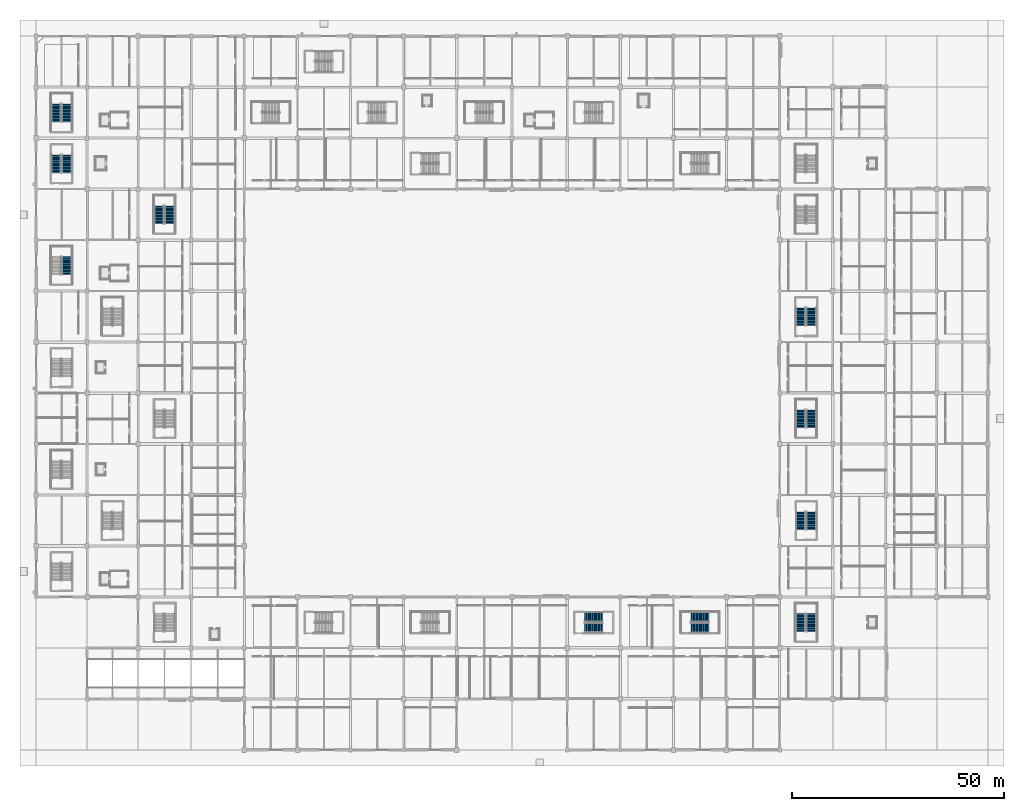
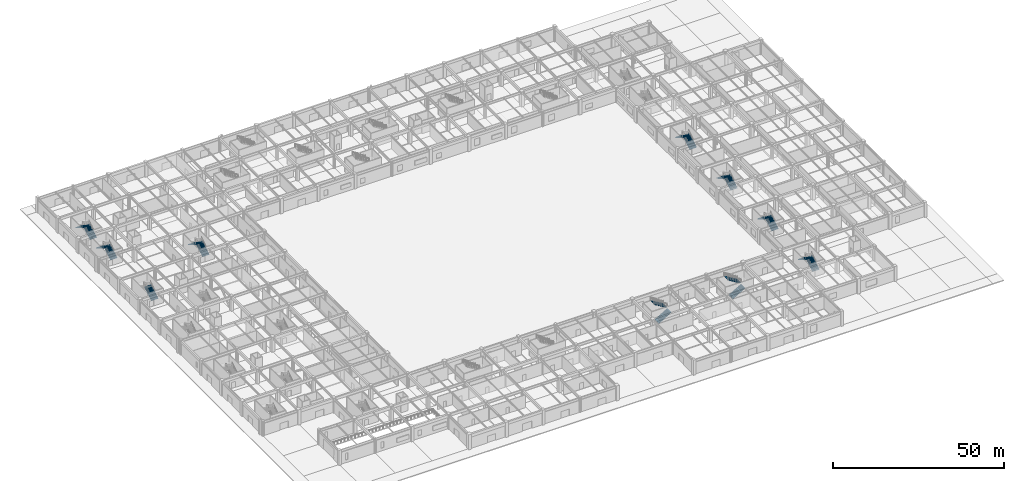
# One storey, part 36 of 69: 19 stair flights, 10 elements without a shape of their own.
"""IFC4 building model written with IfcOpenShell, lengths in metres."""

from ifc_helpers import new_model, si_unit, direction, frame, origin, place, context, subcontext, project, spatial, polyline, outline, extrude, material, type_object, element, aggregate, save


model = new_model("IFC4")

# Units and contexts
model_context = context("Model", 3, precision=1e-05, world=origin(), true_north=direction((0.0, 1.0)))
body_context = subcontext(model_context, "Body", "Model", "MODEL_VIEW")
ifc_project = project(units=[si_unit("LENGTHUNIT", "METRE"), si_unit("AREAUNIT", "SQUARE_METRE"), si_unit("VOLUMEUNIT", "CUBIC_METRE"), si_unit("PLANEANGLEUNIT", "RADIAN"), si_unit("MASSUNIT", "GRAM", prefix="KILO")], contexts=[model_context])

# Site, building, storey
site_placement = place(None, origin())
site = spatial("IfcSite", under=ifc_project, at=site_placement, CompositionType="ELEMENT")
building_placement = place(site_placement, origin())
building = spatial("IfcBuilding", under=site, at=building_placement, Name="Kazenohara Klinker Stadium", CompositionType="ELEMENT")
storey_placement = place(building_placement, origin())
storey = spatial("IfcBuildingStorey", under=building, at=storey_placement, Name="L00", CompositionType="ELEMENT", Elevation=0.0)

# Stair, stair flights
ifc_material = material(Name="Concrete C40/50", Category="concrete")
stair_type_1 = type_object("IfcStairType", Name="STR-DL-2300", PredefinedType="HALF_TURN_STAIR", material=ifc_material)
stair_1_placement = place(storey_placement, origin())
stair_1 = element("IfcStair", 1, at=stair_1_placement, inside=storey, type_object=stair_type_1, Name="L00 Enclosed escape stair ST05", PredefinedType="HALF_TURN_STAIR")
stair_flight_type_1 = type_object("IfcStairFlightType", Name="FLT-DL-2300-5400", PredefinedType="STRAIGHT", material=ifc_material)
stair_flight_1_placement = place(storey_placement, frame((7.25, 135.840087890625, 0.0), z_axis=(0.0, 0.0, 1.0), x_axis=(0.0, 1.0, 0.0)))
stair_flight_1 = element("IfcStairFlight", 2, at=stair_flight_1_placement, type_object=stair_flight_type_1, Name="ST05 flight 1", NumberOfRisers=16, NumberOfTreads=15, PredefinedType="STRAIGHT", RiserHeight=0.16875, TreadLength=0.28, context=body_context, shape_type="SweptSolid", body=[
    extrude(outline(polyline([(0.0, 0.0), (0.0, 0.168701171875), (0.280029296875, 0.168701171875), (0.280029296875, 0.33740234375), (0.56005859375, 0.33740234375), (0.56005859375, 0.50634765625), (0.840087890625, 0.50634765625), (0.840087890625, 0.675048828125), (1.1201171875, 0.675048828125), (1.1201171875, 0.84375), (1.39990234375, 0.84375), (1.39990234375, 1.012451171875), (1.679931640625, 1.012451171875), (1.679931640625, 1.18115234375), (1.9599609375, 1.18115234375), (1.9599609375, 1.35009765625), (2.239990234375, 1.35009765625), (2.239990234375, 1.518798828125), (2.52001953125, 1.518798828125), (2.52001953125, 1.6875), (2.800048828125, 1.6875), (2.800048828125, 1.856201171875), (3.080078125, 1.856201171875), (3.080078125, 2.02490234375), (3.360107421875, 2.02490234375), (3.360107421875, 2.19384765625), (3.639892578125, 2.19384765625), (3.639892578125, 2.362548828125), (3.919921875, 2.362548828125), (3.919921875, 2.53125), (4.199951171875, 2.53125), (4.199951171875, 2.699951171875), (4.199951171875, 2.356201171875), (0.29052734375, 0.0), (0.0, 0.0)])), frame((0.0, 1.14990234375, 0.0), z_axis=(0.0, -1.0, 0.0), x_axis=(1.0, 0.0, 0.0)), (0.0, 0.0, 1.0), 2.300048828125),
])
stair_flight_2_placement = place(storey_placement, frame((4.75, 140.0400390625, 2.699951171875), z_axis=(0.0, 0.0, 1.0), x_axis=(0.0, -1.0, 0.0)))
stair_flight_2 = element("IfcStairFlight", 3, at=stair_flight_2_placement, type_object=stair_flight_type_1, Name="ST05 flight 2", NumberOfRisers=16, NumberOfTreads=15, PredefinedType="STRAIGHT", RiserHeight=0.16875, TreadLength=0.28, context=body_context, shape_type="SweptSolid", body=[
    extrude(outline(polyline([(0.0, 0.0), (0.0, 0.168701171875), (0.280029296875, 0.168701171875), (0.280029296875, 0.33740234375), (0.56005859375, 0.33740234375), (0.56005859375, 0.50634765625), (0.840087890625, 0.50634765625), (0.840087890625, 0.675048828125), (1.1201171875, 0.675048828125), (1.1201171875, 0.84375), (1.39990234375, 0.84375), (1.39990234375, 1.012451171875), (1.679931640625, 1.012451171875), (1.679931640625, 1.18115234375), (1.9599609375, 1.18115234375), (1.9599609375, 1.35009765625), (2.239990234375, 1.35009765625), (2.239990234375, 1.518798828125), (2.52001953125, 1.518798828125), (2.52001953125, 1.6875), (2.800048828125, 1.6875), (2.800048828125, 1.856201171875), (3.080078125, 1.856201171875), (3.080078125, 2.02490234375), (3.360107421875, 2.02490234375), (3.360107421875, 2.19384765625), (3.639892578125, 2.19384765625), (3.639892578125, 2.362548828125), (3.919921875, 2.362548828125), (3.919921875, 2.53125), (4.199951171875, 2.53125), (4.199951171875, 2.699951171875), (4.199951171875, 2.356201171875), (0.29052734375, 0.0), (0.0, 0.0)])), frame((0.0, 1.14990234375, 0.0), z_axis=(0.0, -1.0, 0.0), x_axis=(1.0, 0.0, 0.0)), (0.0, 0.0, 1.0), 2.300048828125),
])
aggregate(stair_1, [stair_flight_1, stair_flight_2])

stair_2_placement = place(storey_placement, origin())
stair_2 = element("IfcStair", 4, at=stair_2_placement, inside=storey, type_object=stair_type_1, Name="L00 Enclosed escape stair ST21", PredefinedType="HALF_TURN_STAIR")
stair_flight_3_placement = place(storey_placement, frame((182.5, 51.840087890625, 0.0), z_axis=(0.0, 0.0, 1.0), x_axis=(0.0, 1.0, 0.0)))
stair_flight_3 = element("IfcStairFlight", 5, at=stair_flight_3_placement, type_object=stair_flight_type_1, Name="ST21 flight 1", NumberOfRisers=16, NumberOfTreads=15, PredefinedType="STRAIGHT", RiserHeight=0.16875, TreadLength=0.28, context=body_context, shape_type="SweptSolid", body=[
    extrude(outline(polyline([(0.0, 0.0), (0.0, 0.168701171875), (0.280029296875, 0.168701171875), (0.280029296875, 0.33740234375), (0.56005859375, 0.33740234375), (0.56005859375, 0.50634765625), (0.840087890625, 0.50634765625), (0.840087890625, 0.675048828125), (1.1201171875, 0.675048828125), (1.1201171875, 0.84375), (1.39990234375, 0.84375), (1.39990234375, 1.012451171875), (1.679931640625, 1.012451171875), (1.679931640625, 1.18115234375), (1.9599609375, 1.18115234375), (1.9599609375, 1.35009765625), (2.239990234375, 1.35009765625), (2.239990234375, 1.518798828125), (2.52001953125, 1.518798828125), (2.52001953125, 1.6875), (2.800048828125, 1.6875), (2.800048828125, 1.856201171875), (3.080078125, 1.856201171875), (3.080078125, 2.02490234375), (3.360107421875, 2.02490234375), (3.360107421875, 2.19384765625), (3.639892578125, 2.19384765625), (3.639892578125, 2.362548828125), (3.919921875, 2.362548828125), (3.919921875, 2.53125), (4.199951171875, 2.53125), (4.199951171875, 2.699951171875), (4.199951171875, 2.356201171875), (0.29052734375, 0.0), (0.0, 0.0)])), frame((0.0, 1.14990234375, 0.0), z_axis=(0.0, -1.0, 0.0), x_axis=(1.0, 0.0, 0.0)), (0.0, 0.0, 1.0), 2.300048828125),
])
stair_flight_4_placement = place(storey_placement, frame((180.0, 56.0400390625, 2.699951171875), z_axis=(0.0, 0.0, 1.0), x_axis=(0.0, -1.0, 0.0)))
stair_flight_4 = element("IfcStairFlight", 6, at=stair_flight_4_placement, type_object=stair_flight_type_1, Name="ST21 flight 2", NumberOfRisers=16, NumberOfTreads=15, PredefinedType="STRAIGHT", RiserHeight=0.16875, TreadLength=0.28, context=body_context, shape_type="SweptSolid", body=[
    extrude(outline(polyline([(0.0, 0.0), (0.0, 0.168701171875), (0.280029296875, 0.168701171875), (0.280029296875, 0.33740234375), (0.56005859375, 0.33740234375), (0.56005859375, 0.50634765625), (0.840087890625, 0.50634765625), (0.840087890625, 0.675048828125), (1.1201171875, 0.675048828125), (1.1201171875, 0.84375), (1.39990234375, 0.84375), (1.39990234375, 1.012451171875), (1.679931640625, 1.012451171875), (1.679931640625, 1.18115234375), (1.9599609375, 1.18115234375), (1.9599609375, 1.35009765625), (2.239990234375, 1.35009765625), (2.239990234375, 1.518798828125), (2.52001953125, 1.518798828125), (2.52001953125, 1.6875), (2.800048828125, 1.6875), (2.800048828125, 1.856201171875), (3.080078125, 1.856201171875), (3.080078125, 2.02490234375), (3.360107421875, 2.02490234375), (3.360107421875, 2.19384765625), (3.639892578125, 2.19384765625), (3.639892578125, 2.362548828125), (3.919921875, 2.362548828125), (3.919921875, 2.53125), (4.199951171875, 2.53125), (4.199951171875, 2.699951171875), (4.199951171875, 2.356201171875), (0.29052734375, 0.0), (0.0, 0.0)])), frame((0.0, 1.14990234375, 0.0), z_axis=(0.0, -1.0, 0.0), x_axis=(1.0, 0.0, 0.0)), (0.0, 0.0, 1.0), 2.300048828125),
])
aggregate(stair_2, [stair_flight_3, stair_flight_4])

stair_type_2 = type_object("IfcStairType", Name="STR-DL-2310", PredefinedType="HALF_TURN_STAIR", material=ifc_material)
stair_3_placement = place(storey_placement, origin())
stair_3 = element("IfcStair", 7, at=stair_3_placement, inside=storey, type_object=stair_type_2, Name="L00 Enclosed escape stair ST06", PredefinedType="HALF_TURN_STAIR")
stair_flight_type_2 = type_object("IfcStairFlightType", Name="FLT-DL-2310-5400", PredefinedType="STRAIGHT", material=ifc_material)
stair_flight_5_placement = place(storey_placement, frame((7.2548828125, 147.85009765625, 0.0), z_axis=(0.0, 0.0, 1.0), x_axis=(0.0, 1.0, 0.0)))
stair_flight_5 = element("IfcStairFlight", 8, at=stair_flight_5_placement, type_object=stair_flight_type_2, Name="ST06 flight 1", NumberOfRisers=16, NumberOfTreads=15, PredefinedType="STRAIGHT", RiserHeight=0.16875, TreadLength=0.28, context=body_context, shape_type="SweptSolid", body=[
    extrude(outline(polyline([(0.0, 0.0), (0.0, 0.168701171875), (0.280029296875, 0.168701171875), (0.280029296875, 0.33740234375), (0.56005859375, 0.33740234375), (0.56005859375, 0.50634765625), (0.840087890625, 0.50634765625), (0.840087890625, 0.675048828125), (1.1201171875, 0.675048828125), (1.1201171875, 0.84375), (1.39990234375, 0.84375), (1.39990234375, 1.012451171875), (1.679931640625, 1.012451171875), (1.679931640625, 1.18115234375), (1.9599609375, 1.18115234375), (1.9599609375, 1.35009765625), (2.239990234375, 1.35009765625), (2.239990234375, 1.518798828125), (2.52001953125, 1.518798828125), (2.52001953125, 1.6875), (2.800048828125, 1.6875), (2.800048828125, 1.856201171875), (3.080078125, 1.856201171875), (3.080078125, 2.02490234375), (3.360107421875, 2.02490234375), (3.360107421875, 2.19384765625), (3.639892578125, 2.19384765625), (3.639892578125, 2.362548828125), (3.919921875, 2.362548828125), (3.919921875, 2.53125), (4.199951171875, 2.53125), (4.199951171875, 2.699951171875), (4.199951171875, 2.356201171875), (0.29052734375, 0.0), (0.0, 0.0)])), frame((0.0, 1.155029296875, 0.0), z_axis=(0.0, -1.0, 0.0), x_axis=(1.0, 0.0, 0.0)), (0.0, 0.0, 1.0), 2.31005859375),
])
stair_flight_6_placement = place(storey_placement, frame((4.7451171875, 152.050048828125, 2.699951171875), z_axis=(0.0, 0.0, 1.0), x_axis=(0.0, -1.0, 0.0)))
stair_flight_6 = element("IfcStairFlight", 9, at=stair_flight_6_placement, type_object=stair_flight_type_2, Name="ST06 flight 2", NumberOfRisers=16, NumberOfTreads=15, PredefinedType="STRAIGHT", RiserHeight=0.16875, TreadLength=0.28, context=body_context, shape_type="SweptSolid", body=[
    extrude(outline(polyline([(0.0, 0.0), (0.0, 0.168701171875), (0.280029296875, 0.168701171875), (0.280029296875, 0.33740234375), (0.56005859375, 0.33740234375), (0.56005859375, 0.50634765625), (0.840087890625, 0.50634765625), (0.840087890625, 0.675048828125), (1.1201171875, 0.675048828125), (1.1201171875, 0.84375), (1.39990234375, 0.84375), (1.39990234375, 1.012451171875), (1.679931640625, 1.012451171875), (1.679931640625, 1.18115234375), (1.9599609375, 1.18115234375), (1.9599609375, 1.35009765625), (2.239990234375, 1.35009765625), (2.239990234375, 1.518798828125), (2.52001953125, 1.518798828125), (2.52001953125, 1.6875), (2.800048828125, 1.6875), (2.800048828125, 1.856201171875), (3.080078125, 1.856201171875), (3.080078125, 2.02490234375), (3.360107421875, 2.02490234375), (3.360107421875, 2.19384765625), (3.639892578125, 2.19384765625), (3.639892578125, 2.362548828125), (3.919921875, 2.362548828125), (3.919921875, 2.53125), (4.199951171875, 2.53125), (4.199951171875, 2.699951171875), (4.199951171875, 2.356201171875), (0.29052734375, 0.0), (0.0, 0.0)])), frame((0.0, 1.155029296875, 0.0), z_axis=(0.0, -1.0, 0.0), x_axis=(1.0, 0.0, 0.0)), (0.0, 0.0, 1.0), 2.31005859375),
])
aggregate(stair_3, [stair_flight_5, stair_flight_6])

stair_4_placement = place(storey_placement, origin())
stair_4 = element("IfcStair", 10, at=stair_4_placement, inside=storey, type_object=stair_type_2, Name="L00 Enclosed escape stair ST18", PredefinedType="HALF_TURN_STAIR")
stair_flight_7_placement = place(storey_placement, frame((31.5048828125, 123.85009765625, 0.0), z_axis=(0.0, 0.0, 1.0), x_axis=(0.0, 1.0, 0.0)))
stair_flight_7 = element("IfcStairFlight", 11, at=stair_flight_7_placement, type_object=stair_flight_type_2, Name="ST18 flight 1", NumberOfRisers=16, NumberOfTreads=15, PredefinedType="STRAIGHT", RiserHeight=0.16875, TreadLength=0.28, context=body_context, shape_type="SweptSolid", body=[
    extrude(outline(polyline([(0.0, 0.0), (0.0, 0.168701171875), (0.280029296875, 0.168701171875), (0.280029296875, 0.33740234375), (0.56005859375, 0.33740234375), (0.56005859375, 0.50634765625), (0.840087890625, 0.50634765625), (0.840087890625, 0.675048828125), (1.1201171875, 0.675048828125), (1.1201171875, 0.84375), (1.39990234375, 0.84375), (1.39990234375, 1.012451171875), (1.679931640625, 1.012451171875), (1.679931640625, 1.18115234375), (1.9599609375, 1.18115234375), (1.9599609375, 1.35009765625), (2.239990234375, 1.35009765625), (2.239990234375, 1.518798828125), (2.52001953125, 1.518798828125), (2.52001953125, 1.6875), (2.800048828125, 1.6875), (2.800048828125, 1.856201171875), (3.080078125, 1.856201171875), (3.080078125, 2.02490234375), (3.360107421875, 2.02490234375), (3.360107421875, 2.19384765625), (3.639892578125, 2.19384765625), (3.639892578125, 2.362548828125), (3.919921875, 2.362548828125), (3.919921875, 2.53125), (4.199951171875, 2.53125), (4.199951171875, 2.699951171875), (4.199951171875, 2.356201171875), (0.29052734375, 0.0), (0.0, 0.0)])), frame((0.0, 1.155029296875, 0.0), z_axis=(0.0, -1.0, 0.0), x_axis=(1.0, 0.0, 0.0)), (0.0, 0.0, 1.0), 2.31005859375),
])
stair_flight_8_placement = place(storey_placement, frame((28.9951171875, 128.050048828125, 2.699951171875), z_axis=(0.0, 0.0, 1.0), x_axis=(0.0, -1.0, 0.0)))
stair_flight_8 = element("IfcStairFlight", 12, at=stair_flight_8_placement, type_object=stair_flight_type_2, Name="ST18 flight 2", NumberOfRisers=16, NumberOfTreads=15, PredefinedType="STRAIGHT", RiserHeight=0.16875, TreadLength=0.28, context=body_context, shape_type="SweptSolid", body=[
    extrude(outline(polyline([(0.0, 0.0), (0.0, 0.168701171875), (0.280029296875, 0.168701171875), (0.280029296875, 0.33740234375), (0.56005859375, 0.33740234375), (0.56005859375, 0.50634765625), (0.840087890625, 0.50634765625), (0.840087890625, 0.675048828125), (1.1201171875, 0.675048828125), (1.1201171875, 0.84375), (1.39990234375, 0.84375), (1.39990234375, 1.012451171875), (1.679931640625, 1.012451171875), (1.679931640625, 1.18115234375), (1.9599609375, 1.18115234375), (1.9599609375, 1.35009765625), (2.239990234375, 1.35009765625), (2.239990234375, 1.518798828125), (2.52001953125, 1.518798828125), (2.52001953125, 1.6875), (2.800048828125, 1.6875), (2.800048828125, 1.856201171875), (3.080078125, 1.856201171875), (3.080078125, 2.02490234375), (3.360107421875, 2.02490234375), (3.360107421875, 2.19384765625), (3.639892578125, 2.19384765625), (3.639892578125, 2.362548828125), (3.919921875, 2.362548828125), (3.919921875, 2.53125), (4.199951171875, 2.53125), (4.199951171875, 2.699951171875), (4.199951171875, 2.356201171875), (0.29052734375, 0.0), (0.0, 0.0)])), frame((0.0, 1.155029296875, 0.0), z_axis=(0.0, -1.0, 0.0), x_axis=(1.0, 0.0, 0.0)), (0.0, 0.0, 1.0), 2.31005859375),
])
aggregate(stair_4, [stair_flight_7, stair_flight_8])

stair_5_placement = place(storey_placement, origin())
stair_5 = element("IfcStair", 13, at=stair_5_placement, inside=storey, type_object=stair_type_2, Name="L00 Enclosed escape stair ST22", PredefinedType="HALF_TURN_STAIR")
stair_flight_9_placement = place(storey_placement, frame((182.5048828125, 75.85009765625, 0.0), z_axis=(0.0, 0.0, 1.0), x_axis=(0.0, 1.0, 0.0)))
stair_flight_9 = element("IfcStairFlight", 14, at=stair_flight_9_placement, type_object=stair_flight_type_2, Name="ST22 flight 1", NumberOfRisers=16, NumberOfTreads=15, PredefinedType="STRAIGHT", RiserHeight=0.16875, TreadLength=0.28, context=body_context, shape_type="SweptSolid", body=[
    extrude(outline(polyline([(0.0, 0.0), (0.0, 0.168701171875), (0.280029296875, 0.168701171875), (0.280029296875, 0.33740234375), (0.56005859375, 0.33740234375), (0.56005859375, 0.50634765625), (0.840087890625, 0.50634765625), (0.840087890625, 0.675048828125), (1.1201171875, 0.675048828125), (1.1201171875, 0.84375), (1.39990234375, 0.84375), (1.39990234375, 1.012451171875), (1.679931640625, 1.012451171875), (1.679931640625, 1.18115234375), (1.9599609375, 1.18115234375), (1.9599609375, 1.35009765625), (2.239990234375, 1.35009765625), (2.239990234375, 1.518798828125), (2.52001953125, 1.518798828125), (2.52001953125, 1.6875), (2.800048828125, 1.6875), (2.800048828125, 1.856201171875), (3.080078125, 1.856201171875), (3.080078125, 2.02490234375), (3.360107421875, 2.02490234375), (3.360107421875, 2.19384765625), (3.639892578125, 2.19384765625), (3.639892578125, 2.362548828125), (3.919921875, 2.362548828125), (3.919921875, 2.53125), (4.199951171875, 2.53125), (4.199951171875, 2.699951171875), (4.199951171875, 2.356201171875), (0.29052734375, 0.0), (0.0, 0.0)])), frame((0.0, 1.155029296875, 0.0), z_axis=(0.0, -1.0, 0.0), x_axis=(1.0, 0.0, 0.0)), (0.0, 0.0, 1.0), 2.31005859375),
])
stair_flight_10_placement = place(storey_placement, frame((179.9951171875, 80.050048828125, 2.699951171875), z_axis=(0.0, 0.0, 1.0), x_axis=(0.0, -1.0, 0.0)))
stair_flight_10 = element("IfcStairFlight", 15, at=stair_flight_10_placement, type_object=stair_flight_type_2, Name="ST22 flight 2", NumberOfRisers=16, NumberOfTreads=15, PredefinedType="STRAIGHT", RiserHeight=0.16875, TreadLength=0.28, context=body_context, shape_type="SweptSolid", body=[
    extrude(outline(polyline([(0.0, 0.0), (0.0, 0.168701171875), (0.280029296875, 0.168701171875), (0.280029296875, 0.33740234375), (0.56005859375, 0.33740234375), (0.56005859375, 0.50634765625), (0.840087890625, 0.50634765625), (0.840087890625, 0.675048828125), (1.1201171875, 0.675048828125), (1.1201171875, 0.84375), (1.39990234375, 0.84375), (1.39990234375, 1.012451171875), (1.679931640625, 1.012451171875), (1.679931640625, 1.18115234375), (1.9599609375, 1.18115234375), (1.9599609375, 1.35009765625), (2.239990234375, 1.35009765625), (2.239990234375, 1.518798828125), (2.52001953125, 1.518798828125), (2.52001953125, 1.6875), (2.800048828125, 1.6875), (2.800048828125, 1.856201171875), (3.080078125, 1.856201171875), (3.080078125, 2.02490234375), (3.360107421875, 2.02490234375), (3.360107421875, 2.19384765625), (3.639892578125, 2.19384765625), (3.639892578125, 2.362548828125), (3.919921875, 2.362548828125), (3.919921875, 2.53125), (4.199951171875, 2.53125), (4.199951171875, 2.699951171875), (4.199951171875, 2.356201171875), (0.29052734375, 0.0), (0.0, 0.0)])), frame((0.0, 1.155029296875, 0.0), z_axis=(0.0, -1.0, 0.0), x_axis=(1.0, 0.0, 0.0)), (0.0, 0.0, 1.0), 2.31005859375),
])
aggregate(stair_5, [stair_flight_9, stair_flight_10])

stair_type_3 = type_object("IfcStairType", Name="STR-DL-2330", PredefinedType="HALF_TURN_STAIR", material=ifc_material)
stair_6_placement = place(storey_placement, origin())
stair_6 = element("IfcStair", 16, at=stair_6_placement, inside=storey, type_object=stair_type_3, Name="L00 Enclosed escape stair ST23", PredefinedType="HALF_TURN_STAIR")
stair_flight_type_3 = type_object("IfcStairFlightType", Name="FLT-DL-2330-5400", PredefinedType="STRAIGHT", material=ifc_material)
stair_flight_11_placement = place(storey_placement, frame((182.514892578125, 99.8701171875, 0.0), z_axis=(0.0, 0.0, 1.0), x_axis=(0.0, 1.0, 0.0)))
stair_flight_11 = element("IfcStairFlight", 17, at=stair_flight_11_placement, type_object=stair_flight_type_3, Name="ST23 flight 1", NumberOfRisers=16, NumberOfTreads=15, PredefinedType="STRAIGHT", RiserHeight=0.16875, TreadLength=0.28, context=body_context, shape_type="SweptSolid", body=[
    extrude(outline(polyline([(0.0, 0.0), (0.0, 0.168701171875), (0.280029296875, 0.168701171875), (0.280029296875, 0.33740234375), (0.56005859375, 0.33740234375), (0.56005859375, 0.50634765625), (0.840087890625, 0.50634765625), (0.840087890625, 0.675048828125), (1.1201171875, 0.675048828125), (1.1201171875, 0.84375), (1.39990234375, 0.84375), (1.39990234375, 1.012451171875), (1.679931640625, 1.012451171875), (1.679931640625, 1.18115234375), (1.9599609375, 1.18115234375), (1.9599609375, 1.35009765625), (2.239990234375, 1.35009765625), (2.239990234375, 1.518798828125), (2.52001953125, 1.518798828125), (2.52001953125, 1.6875), (2.800048828125, 1.6875), (2.800048828125, 1.856201171875), (3.080078125, 1.856201171875), (3.080078125, 2.02490234375), (3.360107421875, 2.02490234375), (3.360107421875, 2.19384765625), (3.639892578125, 2.19384765625), (3.639892578125, 2.362548828125), (3.919921875, 2.362548828125), (3.919921875, 2.53125), (4.199951171875, 2.53125), (4.199951171875, 2.699951171875), (4.199951171875, 2.356201171875), (0.29052734375, 0.0), (0.0, 0.0)])), frame((0.0, 1.1650390625, 0.0), z_axis=(0.0, -1.0, 0.0), x_axis=(1.0, 0.0, 0.0)), (0.0, 0.0, 1.0), 2.330078125),
])
stair_flight_12_placement = place(storey_placement, frame((179.985107421875, 104.070068359375, 2.699951171875), z_axis=(0.0, 0.0, 1.0), x_axis=(0.0, -1.0, 0.0)))
stair_flight_12 = element("IfcStairFlight", 18, at=stair_flight_12_placement, type_object=stair_flight_type_3, Name="ST23 flight 2", NumberOfRisers=16, NumberOfTreads=15, PredefinedType="STRAIGHT", RiserHeight=0.16875, TreadLength=0.28, context=body_context, shape_type="SweptSolid", body=[
    extrude(outline(polyline([(0.0, 0.0), (0.0, 0.168701171875), (0.280029296875, 0.168701171875), (0.280029296875, 0.33740234375), (0.56005859375, 0.33740234375), (0.56005859375, 0.50634765625), (0.840087890625, 0.50634765625), (0.840087890625, 0.675048828125), (1.1201171875, 0.675048828125), (1.1201171875, 0.84375), (1.39990234375, 0.84375), (1.39990234375, 1.012451171875), (1.679931640625, 1.012451171875), (1.679931640625, 1.18115234375), (1.9599609375, 1.18115234375), (1.9599609375, 1.35009765625), (2.239990234375, 1.35009765625), (2.239990234375, 1.518798828125), (2.52001953125, 1.518798828125), (2.52001953125, 1.6875), (2.800048828125, 1.6875), (2.800048828125, 1.856201171875), (3.080078125, 1.856201171875), (3.080078125, 2.02490234375), (3.360107421875, 2.02490234375), (3.360107421875, 2.19384765625), (3.639892578125, 2.19384765625), (3.639892578125, 2.362548828125), (3.919921875, 2.362548828125), (3.919921875, 2.53125), (4.199951171875, 2.53125), (4.199951171875, 2.699951171875), (4.199951171875, 2.356201171875), (0.29052734375, 0.0), (0.0, 0.0)])), frame((0.0, 1.1650390625, 0.0), z_axis=(0.0, -1.0, 0.0), x_axis=(1.0, 0.0, 0.0)), (0.0, 0.0, 1.0), 2.330078125),
])
aggregate(stair_6, [stair_flight_11, stair_flight_12])

stair_7_placement = place(storey_placement, origin())
stair_7 = element("IfcStair", 19, at=stair_7_placement, inside=storey, type_object=stair_type_3, Name="L00 Enclosed escape stair ST27", PredefinedType="HALF_TURN_STAIR")
stair_flight_13_placement = place(storey_placement, frame((129.1201171875, 28.735107421875, 0.0), z_axis=(0.0, 0.0, 1.0), x_axis=(1.0, 0.0, 0.0)))
stair_flight_13 = element("IfcStairFlight", 20, at=stair_flight_13_placement, type_object=stair_flight_type_3, Name="ST27 flight 1", NumberOfRisers=16, NumberOfTreads=15, PredefinedType="STRAIGHT", RiserHeight=0.16875, TreadLength=0.28, context=body_context, shape_type="SweptSolid", body=[
    extrude(outline(polyline([(0.0, 0.0), (0.0, 0.168701171875), (0.280029296875, 0.168701171875), (0.280029296875, 0.33740234375), (0.56005859375, 0.33740234375), (0.56005859375, 0.50634765625), (0.840087890625, 0.50634765625), (0.840087890625, 0.675048828125), (1.1201171875, 0.675048828125), (1.1201171875, 0.84375), (1.39990234375, 0.84375), (1.39990234375, 1.012451171875), (1.679931640625, 1.012451171875), (1.679931640625, 1.18115234375), (1.9599609375, 1.18115234375), (1.9599609375, 1.35009765625), (2.239990234375, 1.35009765625), (2.239990234375, 1.518798828125), (2.52001953125, 1.518798828125), (2.52001953125, 1.6875), (2.800048828125, 1.6875), (2.800048828125, 1.856201171875), (3.080078125, 1.856201171875), (3.080078125, 2.02490234375), (3.360107421875, 2.02490234375), (3.360107421875, 2.19384765625), (3.639892578125, 2.19384765625), (3.639892578125, 2.362548828125), (3.919921875, 2.362548828125), (3.919921875, 2.53125), (4.199951171875, 2.53125), (4.199951171875, 2.699951171875), (4.199951171875, 2.356201171875), (0.29052734375, 0.0), (0.0, 0.0)])), frame((0.0, 1.1650390625, 0.0), z_axis=(0.0, -1.0, 0.0), x_axis=(1.0, 0.0, 0.0)), (0.0, 0.0, 1.0), 2.330078125),
])
stair_flight_14_placement = place(storey_placement, frame((133.320068359375, 31.264892578125, 2.699951171875), z_axis=(0.0, 0.0, 1.0), x_axis=(-1.0, 0.0, 0.0)))
stair_flight_14 = element("IfcStairFlight", 21, at=stair_flight_14_placement, type_object=stair_flight_type_3, Name="ST27 flight 2", NumberOfRisers=16, NumberOfTreads=15, PredefinedType="STRAIGHT", RiserHeight=0.16875, TreadLength=0.28, context=body_context, shape_type="SweptSolid", body=[
    extrude(outline(polyline([(0.0, 0.0), (0.0, 0.168701171875), (0.280029296875, 0.168701171875), (0.280029296875, 0.33740234375), (0.56005859375, 0.33740234375), (0.56005859375, 0.50634765625), (0.840087890625, 0.50634765625), (0.840087890625, 0.675048828125), (1.1201171875, 0.675048828125), (1.1201171875, 0.84375), (1.39990234375, 0.84375), (1.39990234375, 1.012451171875), (1.679931640625, 1.012451171875), (1.679931640625, 1.18115234375), (1.9599609375, 1.18115234375), (1.9599609375, 1.35009765625), (2.239990234375, 1.35009765625), (2.239990234375, 1.518798828125), (2.52001953125, 1.518798828125), (2.52001953125, 1.6875), (2.800048828125, 1.6875), (2.800048828125, 1.856201171875), (3.080078125, 1.856201171875), (3.080078125, 2.02490234375), (3.360107421875, 2.02490234375), (3.360107421875, 2.19384765625), (3.639892578125, 2.19384765625), (3.639892578125, 2.362548828125), (3.919921875, 2.362548828125), (3.919921875, 2.53125), (4.199951171875, 2.53125), (4.199951171875, 2.699951171875), (4.199951171875, 2.356201171875), (0.29052734375, 0.0), (0.0, 0.0)])), frame((0.0, 1.1650390625, 0.0), z_axis=(0.0, -1.0, 0.0), x_axis=(1.0, 0.0, 0.0)), (0.0, 0.0, 1.0), 2.330078125),
])
aggregate(stair_7, [stair_flight_13, stair_flight_14])

# Stair, stair flight
stair_type_4 = type_object("IfcStairType", Name="STR-DL-2340", PredefinedType="HALF_TURN_STAIR", material=ifc_material)
stair_8_placement = place(storey_placement, origin())
stair_8 = element("IfcStair", 22, at=stair_8_placement, inside=storey, type_object=stair_type_4, Name="L00 Enclosed escape stair ST04", PredefinedType="HALF_TURN_STAIR")
stair_flight_type_4 = type_object("IfcStairFlightType", Name="FLT-DL-2340-5400", PredefinedType="STRAIGHT", material=ifc_material)
stair_flight_15_placement = place(storey_placement, frame((7.27001953125, 111.8798828125, 0.0), z_axis=(0.0, 0.0, 1.0), x_axis=(0.0, 1.0, 0.0)))
stair_flight_15 = element("IfcStairFlight", 23, at=stair_flight_15_placement, type_object=stair_flight_type_4, Name="ST04 flight 1", NumberOfRisers=16, NumberOfTreads=15, PredefinedType="STRAIGHT", RiserHeight=0.16875, TreadLength=0.28, context=body_context, shape_type="SweptSolid", body=[
    extrude(outline(polyline([(0.0, 0.0), (0.0, 0.168701171875), (0.280029296875, 0.168701171875), (0.280029296875, 0.33740234375), (0.56005859375, 0.33740234375), (0.56005859375, 0.50634765625), (0.840087890625, 0.50634765625), (0.840087890625, 0.675048828125), (1.1201171875, 0.675048828125), (1.1201171875, 0.84375), (1.39990234375, 0.84375), (1.39990234375, 1.012451171875), (1.679931640625, 1.012451171875), (1.679931640625, 1.18115234375), (1.9599609375, 1.18115234375), (1.9599609375, 1.35009765625), (2.239990234375, 1.35009765625), (2.239990234375, 1.518798828125), (2.52001953125, 1.518798828125), (2.52001953125, 1.6875), (2.800048828125, 1.6875), (2.800048828125, 1.856201171875), (3.080078125, 1.856201171875), (3.080078125, 2.02490234375), (3.360107421875, 2.02490234375), (3.360107421875, 2.19384765625), (3.639892578125, 2.19384765625), (3.639892578125, 2.362548828125), (3.919921875, 2.362548828125), (3.919921875, 2.53125), (4.199951171875, 2.53125), (4.199951171875, 2.699951171875), (4.199951171875, 2.356201171875), (0.29052734375, 0.0), (0.0, 0.0)])), frame((0.0, 1.169921875, 0.0), z_axis=(0.0, -1.0, 0.0), x_axis=(1.0, 0.0, 0.0)), (0.0, 0.0, 1.0), 2.340087890625),
])
aggregate(stair_8, [stair_flight_15])

# Stair, stair flights
stair_9_placement = place(storey_placement, origin())
stair_9 = element("IfcStair", 24, at=stair_9_placement, inside=storey, type_object=stair_type_4, Name="L00 Enclosed escape stair ST16", PredefinedType="HALF_TURN_STAIR")
stair_flight_16_placement = place(storey_placement, frame((182.52001953125, 27.8798828125, 0.0), z_axis=(0.0, 0.0, 1.0), x_axis=(0.0, 1.0, 0.0)))
stair_flight_16 = element("IfcStairFlight", 25, at=stair_flight_16_placement, type_object=stair_flight_type_4, Name="ST16 flight 1", NumberOfRisers=16, NumberOfTreads=15, PredefinedType="STRAIGHT", RiserHeight=0.16875, TreadLength=0.28, context=body_context, shape_type="SweptSolid", body=[
    extrude(outline(polyline([(0.0, 0.0), (0.0, 0.168701171875), (0.280029296875, 0.168701171875), (0.280029296875, 0.33740234375), (0.56005859375, 0.33740234375), (0.56005859375, 0.50634765625), (0.840087890625, 0.50634765625), (0.840087890625, 0.675048828125), (1.1201171875, 0.675048828125), (1.1201171875, 0.84375), (1.39990234375, 0.84375), (1.39990234375, 1.012451171875), (1.679931640625, 1.012451171875), (1.679931640625, 1.18115234375), (1.9599609375, 1.18115234375), (1.9599609375, 1.35009765625), (2.239990234375, 1.35009765625), (2.239990234375, 1.518798828125), (2.52001953125, 1.518798828125), (2.52001953125, 1.6875), (2.800048828125, 1.6875), (2.800048828125, 1.856201171875), (3.080078125, 1.856201171875), (3.080078125, 2.02490234375), (3.360107421875, 2.02490234375), (3.360107421875, 2.19384765625), (3.639892578125, 2.19384765625), (3.639892578125, 2.362548828125), (3.919921875, 2.362548828125), (3.919921875, 2.53125), (4.199951171875, 2.53125), (4.199951171875, 2.699951171875), (4.199951171875, 2.356201171875), (0.29052734375, 0.0), (0.0, 0.0)])), frame((0.0, 1.169921875, 0.0), z_axis=(0.0, -1.0, 0.0), x_axis=(1.0, 0.0, 0.0)), (0.0, 0.0, 1.0), 2.340087890625),
])
stair_flight_17_placement = place(storey_placement, frame((179.97998046875, 32.080078125, 2.699951171875), z_axis=(0.0, 0.0, 1.0), x_axis=(0.0, -1.0, 0.0)))
stair_flight_17 = element("IfcStairFlight", 26, at=stair_flight_17_placement, type_object=stair_flight_type_4, Name="ST16 flight 2", NumberOfRisers=16, NumberOfTreads=15, PredefinedType="STRAIGHT", RiserHeight=0.16875, TreadLength=0.28, context=body_context, shape_type="SweptSolid", body=[
    extrude(outline(polyline([(0.0, 0.0), (0.0, 0.168701171875), (0.280029296875, 0.168701171875), (0.280029296875, 0.33740234375), (0.56005859375, 0.33740234375), (0.56005859375, 0.50634765625), (0.840087890625, 0.50634765625), (0.840087890625, 0.675048828125), (1.1201171875, 0.675048828125), (1.1201171875, 0.84375), (1.39990234375, 0.84375), (1.39990234375, 1.012451171875), (1.679931640625, 1.012451171875), (1.679931640625, 1.18115234375), (1.9599609375, 1.18115234375), (1.9599609375, 1.35009765625), (2.239990234375, 1.35009765625), (2.239990234375, 1.518798828125), (2.52001953125, 1.518798828125), (2.52001953125, 1.6875), (2.800048828125, 1.6875), (2.800048828125, 1.856201171875), (3.080078125, 1.856201171875), (3.080078125, 2.02490234375), (3.360107421875, 2.02490234375), (3.360107421875, 2.19384765625), (3.639892578125, 2.19384765625), (3.639892578125, 2.362548828125), (3.919921875, 2.362548828125), (3.919921875, 2.53125), (4.199951171875, 2.53125), (4.199951171875, 2.699951171875), (4.199951171875, 2.356201171875), (0.29052734375, 0.0), (0.0, 0.0)])), frame((0.0, 1.169921875, 0.0), z_axis=(0.0, -1.0, 0.0), x_axis=(1.0, 0.0, 0.0)), (0.0, 0.0, 1.0), 2.340087890625),
])
aggregate(stair_9, [stair_flight_16, stair_flight_17])

stair_10_placement = place(storey_placement, origin())
stair_10 = element("IfcStair", 27, at=stair_10_placement, inside=storey, type_object=stair_type_4, Name="L00 Enclosed escape stair ST28", PredefinedType="HALF_TURN_STAIR")
stair_flight_18_placement = place(storey_placement, frame((154.1298828125, 28.72998046875, 0.0), z_axis=(0.0, 0.0, 1.0), x_axis=(1.0, 0.0, 0.0)))
stair_flight_18 = element("IfcStairFlight", 28, at=stair_flight_18_placement, type_object=stair_flight_type_4, Name="ST28 flight 1", NumberOfRisers=16, NumberOfTreads=15, PredefinedType="STRAIGHT", RiserHeight=0.16875, TreadLength=0.28, context=body_context, shape_type="SweptSolid", body=[
    extrude(outline(polyline([(0.0, 0.0), (0.0, 0.168701171875), (0.280029296875, 0.168701171875), (0.280029296875, 0.33740234375), (0.56005859375, 0.33740234375), (0.56005859375, 0.50634765625), (0.840087890625, 0.50634765625), (0.840087890625, 0.675048828125), (1.1201171875, 0.675048828125), (1.1201171875, 0.84375), (1.39990234375, 0.84375), (1.39990234375, 1.012451171875), (1.679931640625, 1.012451171875), (1.679931640625, 1.18115234375), (1.9599609375, 1.18115234375), (1.9599609375, 1.35009765625), (2.239990234375, 1.35009765625), (2.239990234375, 1.518798828125), (2.52001953125, 1.518798828125), (2.52001953125, 1.6875), (2.800048828125, 1.6875), (2.800048828125, 1.856201171875), (3.080078125, 1.856201171875), (3.080078125, 2.02490234375), (3.360107421875, 2.02490234375), (3.360107421875, 2.19384765625), (3.639892578125, 2.19384765625), (3.639892578125, 2.362548828125), (3.919921875, 2.362548828125), (3.919921875, 2.53125), (4.199951171875, 2.53125), (4.199951171875, 2.699951171875), (4.199951171875, 2.356201171875), (0.29052734375, 0.0), (0.0, 0.0)])), frame((0.0, 1.169921875, 0.0), z_axis=(0.0, -1.0, 0.0), x_axis=(1.0, 0.0, 0.0)), (0.0, 0.0, 1.0), 2.340087890625),
])
stair_flight_19_placement = place(storey_placement, frame((158.330078125, 31.27001953125, 2.699951171875), z_axis=(0.0, 0.0, 1.0), x_axis=(-1.0, 0.0, 0.0)))
stair_flight_19 = element("IfcStairFlight", 29, at=stair_flight_19_placement, type_object=stair_flight_type_4, Name="ST28 flight 2", NumberOfRisers=16, NumberOfTreads=15, PredefinedType="STRAIGHT", RiserHeight=0.16875, TreadLength=0.28, context=body_context, shape_type="SweptSolid", body=[
    extrude(outline(polyline([(0.0, 0.0), (0.0, 0.168701171875), (0.280029296875, 0.168701171875), (0.280029296875, 0.33740234375), (0.56005859375, 0.33740234375), (0.56005859375, 0.50634765625), (0.840087890625, 0.50634765625), (0.840087890625, 0.675048828125), (1.1201171875, 0.675048828125), (1.1201171875, 0.84375), (1.39990234375, 0.84375), (1.39990234375, 1.012451171875), (1.679931640625, 1.012451171875), (1.679931640625, 1.18115234375), (1.9599609375, 1.18115234375), (1.9599609375, 1.35009765625), (2.239990234375, 1.35009765625), (2.239990234375, 1.518798828125), (2.52001953125, 1.518798828125), (2.52001953125, 1.6875), (2.800048828125, 1.6875), (2.800048828125, 1.856201171875), (3.080078125, 1.856201171875), (3.080078125, 2.02490234375), (3.360107421875, 2.02490234375), (3.360107421875, 2.19384765625), (3.639892578125, 2.19384765625), (3.639892578125, 2.362548828125), (3.919921875, 2.362548828125), (3.919921875, 2.53125), (4.199951171875, 2.53125), (4.199951171875, 2.699951171875), (4.199951171875, 2.356201171875), (0.29052734375, 0.0), (0.0, 0.0)])), frame((0.0, 1.169921875, 0.0), z_axis=(0.0, -1.0, 0.0), x_axis=(1.0, 0.0, 0.0)), (0.0, 0.0, 1.0), 2.340087890625),
])
aggregate(stair_10, [stair_flight_18, stair_flight_19])

save(model, "model.ifc")
